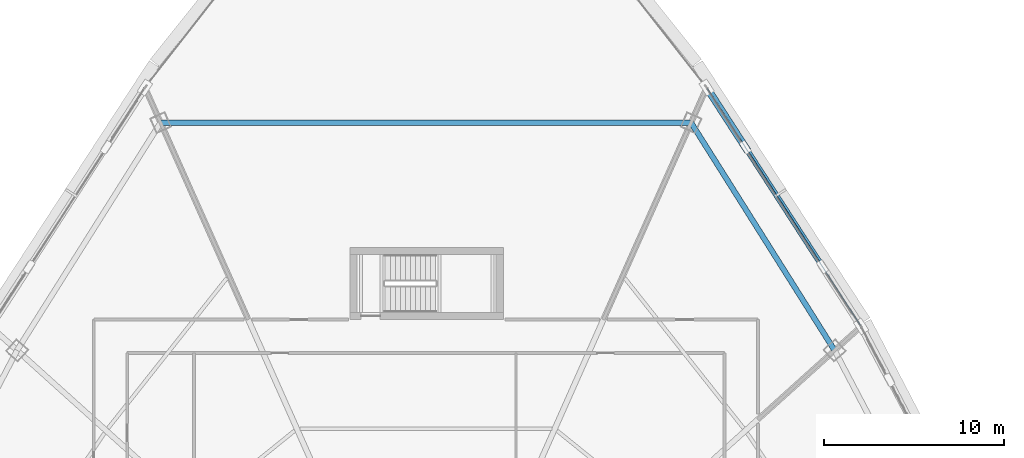
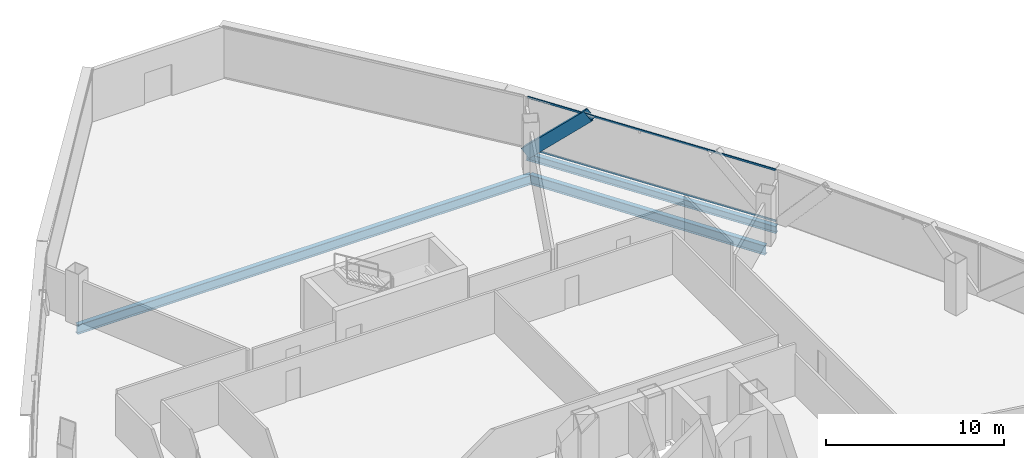
# One storey, part 21 of 37: 3 beams, 3 members, 1 element without a shape of its own.
"""IFC4 building model written with IfcOpenShell, lengths in metres."""

from ifc_helpers import new_model, si_unit, direction, frame, origin, origin_2d, place, context, subcontext, project, spatial, hollow_rectangle, i_section, extrude, source, transform, mapped, material, layer, layer_set, material_profile, profile_set, type_object, element, aggregate, save


model = new_model("IFC4")

# Units and contexts
model_context = context("Model", 3, precision=1e-05, world=origin(), true_north=direction((0.0, 1.0)))
body_context = subcontext(model_context, "Body", "Model", "MODEL_VIEW")
ifc_project = project(units=[si_unit("LENGTHUNIT", "METRE"), si_unit("AREAUNIT", "SQUARE_METRE"), si_unit("VOLUMEUNIT", "CUBIC_METRE"), si_unit("PLANEANGLEUNIT", "RADIAN"), si_unit("MASSUNIT", "GRAM", prefix="KILO"), si_unit("THERMODYNAMICTEMPERATUREUNIT", "KELVIN"), si_unit("POWERUNIT", "WATT")], contexts=[model_context])

# Site, building, storey
site_placement = place(None, origin())
site = spatial("IfcSite", under=ifc_project, at=site_placement, CompositionType="ELEMENT")
building_placement = place(site_placement, origin())
building = spatial("IfcBuilding", under=site, at=building_placement, Name="Yunzhuo Pagoda Commons", CompositionType="ELEMENT")
storey_placement = place(building_placement, frame((0.0, 0.0, 192.360107421875)))
storey = spatial("IfcBuildingStorey", under=building, at=storey_placement, Name="L48", CompositionType="ELEMENT", Elevation=192.360107421875)

# Beams
ifc_material_1 = material(Name="Structural steel Q355B", Category="steel")
ifc_material_profile_1 = material_profile(ifc_material_1, i_section(OverallWidth=0.300048828125, OverallDepth=0.64990234375, WebThickness=0.012939453125, FlangeThickness=0.02197265625, at=origin_2d()), Name="Structural steel Q355B")
ifc_profile_set_1 = profile_set([ifc_material_profile_1], Name="Structural steel Q355B")
beam_type_1 = type_object("IfcBeamType", Name="B-RG2 Beam HN 650x300x13x22", PredefinedType="BEAM", material=ifc_profile_set_1)
shared_shape_1 = source(origin(), body_context, "Body", "SweptSolid", [
    extrude(i_section(OverallWidth=0.300048828125, OverallDepth=0.64990234375, WebThickness=0.012939453125, FlangeThickness=0.02197265625, at=origin_2d()), origin(), (0.0, 0.0, 1.0), 14.916015625),
])
beam_1_placement = place(storey_placement, frame((70.650634765625, 54.0947265625, -0.585205078125), z_axis=(-0.533092374013, 0.846057043449, 0.0), x_axis=(-0.846057043449, -0.533092374013, 0.0)))
element("IfcBeam", 1, at=beam_1_placement, inside=storey, type_object=beam_type_1, Name="L48 column-ring beam 7", PredefinedType="BEAM", context=body_context, shape_type="MappedRepresentation", body=[
    mapped(shared_shape_1, transform((0.0, 0.0, 0.0), scale=1.0)),
])
shared_shape_2 = source(origin(), body_context, "Body", "SweptSolid", [
    extrude(i_section(OverallWidth=0.300048828125, OverallDepth=0.64990234375, WebThickness=0.012939453125, FlangeThickness=0.02197265625, at=origin_2d()), origin(), (0.0, 0.0, 1.0), 29.39794921875),
])
beam_2_placement = place(storey_placement, frame((62.698974609375, 66.714599609375, -0.585205078125), z_axis=(-1.0, 0.0, 0.0), x_axis=(0.0, -1.0, 0.0)))
element("IfcBeam", 2, at=beam_2_placement, inside=storey, type_object=beam_type_1, Name="L48 column-ring beam 8", PredefinedType="BEAM", context=body_context, shape_type="MappedRepresentation", body=[
    mapped(shared_shape_2, transform((0.0, 0.0, 0.0), scale=1.0)),
])
ifc_material_profile_2 = material_profile(ifc_material_1, i_section(OverallWidth=0.300048828125, OverallDepth=0.488037109375, WebThickness=0.010986328125, FlangeThickness=0.01806640625, at=origin_2d()), Name="Structural steel Q355B")
ifc_profile_set_2 = profile_set([ifc_material_profile_2], Name="Structural steel Q355B")
beam_type_2 = type_object("IfcBeamType", Name="B-SP1 Beam HM 488x300x11x18", PredefinedType="BEAM", material=ifc_profile_set_2)
shared_shape_3 = source(origin(), body_context, "Body", "SweptSolid", [
    extrude(i_section(OverallWidth=0.300048828125, OverallDepth=0.488037109375, WebThickness=0.010986328125, FlangeThickness=0.01806640625, at=origin_2d()), origin(), (0.0, 0.0, 1.0), 15.764892578125),
])
beam_3_placement = place(storey_placement, frame((72.124267578125, 55.421630859375, -0.504150390625), z_axis=(-0.54290513086, 0.83979403361, 0.0), x_axis=(-0.83979403361, -0.54290513086, 0.0)))
element("IfcBeam", 3, at=beam_3_placement, inside=storey, type_object=beam_type_2, Name="L48 facade edge spandrel beam F2.3", PredefinedType="BEAM", context=body_context, shape_type="MappedRepresentation", body=[
    mapped(shared_shape_3, transform((0.0, 0.0, 0.0), scale=1.0)),
])

# Member
ifc_material_profile_3 = material_profile(ifc_material_1, hollow_rectangle(XDim=0.39990234375, YDim=0.719970703125, WallThickness=0.02392578125, at=origin_2d()), Name="Structural steel Q355B")
ifc_profile_set_3 = profile_set([ifc_material_profile_3], Name="Structural steel Q355B")
member_type_1 = type_object("IfcMemberType", Name="M-DL2 Brace BOX 720x400x24", PredefinedType="BRACE", material=ifc_profile_set_3)
shared_shape_4 = source(origin(), body_context, "Body", "SweptSolid", [
    extrude(hollow_rectangle(XDim=0.39990234375, YDim=0.719970703125, WallThickness=0.02392578125, at=origin_2d()), origin(), (0.0, 0.0, 1.0), 5.474609375),
])
member_1_placement = place(storey_placement, frame((63.5654296875, 68.660888671875, -0.260009765625), z_axis=(0.390830371992, -0.604574093234, 0.694076210599), x_axis=(0.839801094268, 0.542894208908, 0.0)))
element("IfcMember", 4, at=member_1_placement, inside=storey, type_object=member_type_1, Name="L48 facade diamond brace F2.3R", PredefinedType="BRACE", context=body_context, shape_type="MappedRepresentation", body=[
    mapped(shared_shape_4, transform((0.0, 0.0, 0.0), scale=1.0)),
])

# Curtain wall, members
ifc_material_2 = material(Name="Anodized aluminium 6063-T6", Category="aluminium")
ifc_layer = layer(ifc_material_2, 0.14990234375)
ifc_layer_set = layer_set([ifc_layer], Name="Anodized aluminium 6063-T6")
curtain_wall_type = type_object("IfcCurtainWallType", Name="CW-MID Mid-Zone Ribbon Curtain Wall", PredefinedType="NOTDEFINED", material=ifc_layer_set)
curtain_wall_placement = place(storey_placement, origin())
curtain_wall = element("IfcCurtainWall", 5, at=curtain_wall_placement, inside=storey, type_object=curtain_wall_type, Name="L48 curtain wall CW-L48-F2B4", PredefinedType="NOTDEFINED")
ifc_material_profile_4 = material_profile(ifc_material_2, hollow_rectangle(XDim=0.054931640625, YDim=0.1298828125, WallThickness=0.00341796875, at=origin_2d()), Name="Anodized aluminium 6063-T6")
ifc_profile_set_4 = profile_set([ifc_material_profile_4], Name="Anodized aluminium 6063-T6")
member_type_2 = type_object("IfcMemberType", Name="CW-MID-T Transom RHS 130x55x3.5", PredefinedType="USERDEFINED", material=ifc_profile_set_4)
shared_shape_5 = source(origin(), body_context, "Body", "SweptSolid", [
    extrude(hollow_rectangle(XDim=0.054931640625, YDim=0.1298828125, WallThickness=0.00341796875, at=origin_2d()), origin(), (0.0, 0.0, 1.0), 15.644775390625),
])
member_2_placement = place(storey_placement, frame((72.091796875, 55.471923828125, 0.02734375), z_axis=(-0.542894057097, 0.839801192407, 0.0), x_axis=(-0.839801192407, -0.542894057097, 0.0)))
member_2 = element("IfcMember", 6, at=member_2_placement, type_object=member_type_2, Name="CW transom 1.1", ObjectType="TRANSOM", PredefinedType="USERDEFINED", context=body_context, shape_type="MappedRepresentation", body=[
    mapped(shared_shape_5, transform((0.0, 0.0, 0.0), scale=1.0)),
])
member_3_placement = place(storey_placement, frame((72.091796875, 55.471923828125, 3.512451171875), z_axis=(-0.542894057097, 0.839801192407, 0.0), x_axis=(-0.839801192407, -0.542894057097, 0.0)))
member_3 = element("IfcMember", 7, at=member_3_placement, type_object=member_type_2, Name="CW transom 1.2", ObjectType="TRANSOM", PredefinedType="USERDEFINED", context=body_context, shape_type="MappedRepresentation", body=[
    mapped(shared_shape_5, transform((0.0, 0.0, 0.0), scale=1.0)),
])
aggregate(curtain_wall, [member_2, member_3])

save(model, "model.ifc")
